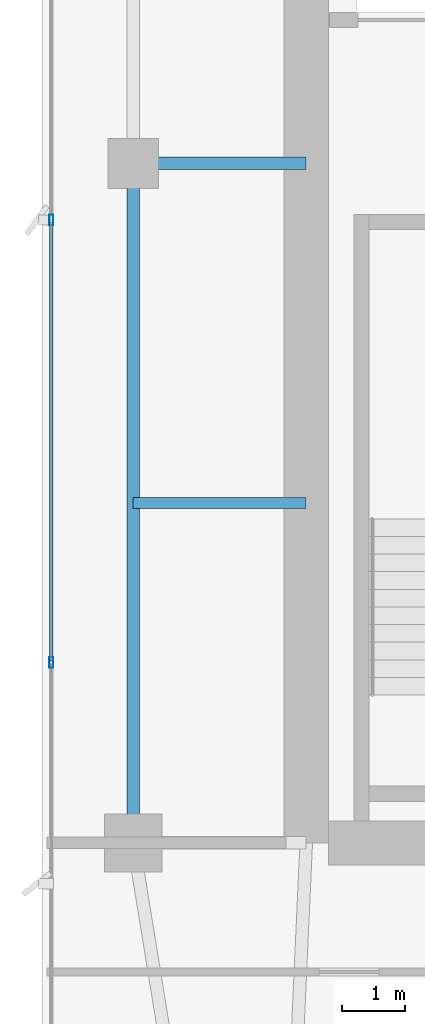
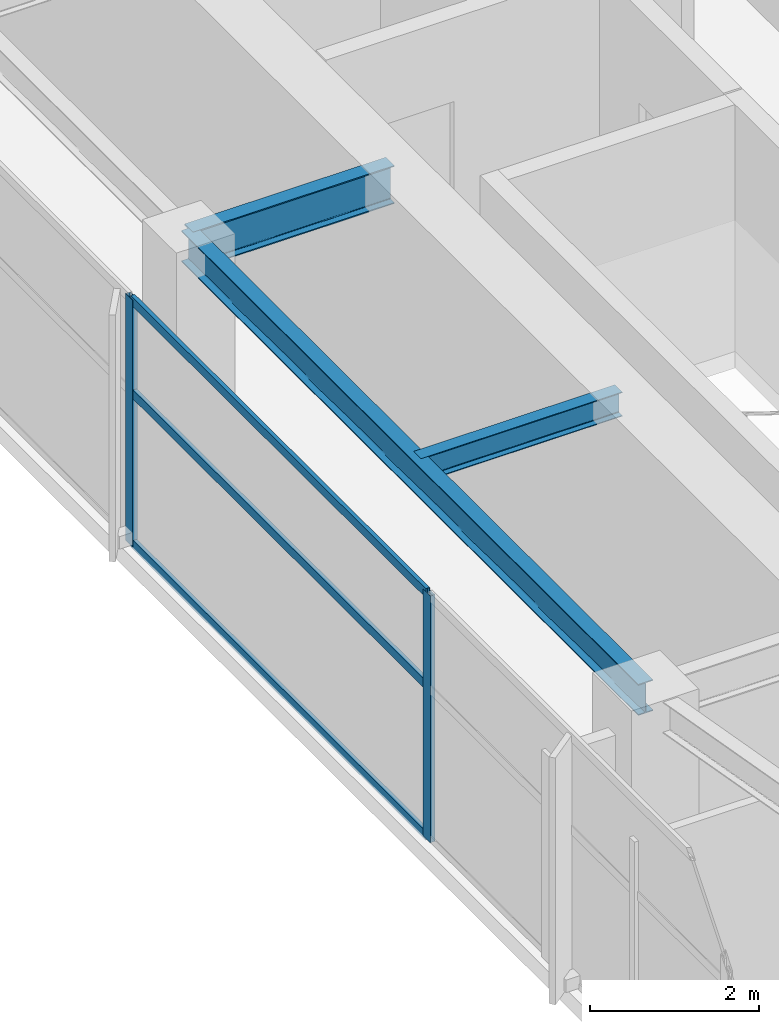
# One storey, part 9 of 29: 5 members, 3 beams, 1 element without a shape of its own.
"""IFC4 building model written with IfcOpenShell, lengths in metres."""

from ifc_helpers import new_model, si_unit, direction, frame, origin, origin_2d, place, context, subcontext, project, spatial, hollow_rectangle, i_section, extrude, material, layer, layer_set, material_profile, profile_set, type_object, element, aggregate, save


model = new_model("IFC4")

# Units and contexts
model_context = context("Model", 3, precision=1e-05, world=origin(), true_north=direction((0.0, 1.0)))
body_context = subcontext(model_context, "Body", "Model", "MODEL_VIEW")
ifc_project = project(units=[si_unit("LENGTHUNIT", "METRE"), si_unit("AREAUNIT", "SQUARE_METRE"), si_unit("VOLUMEUNIT", "CUBIC_METRE"), si_unit("PLANEANGLEUNIT", "RADIAN"), si_unit("MASSUNIT", "GRAM", prefix="KILO")], contexts=[model_context])

# Site, building, storey
site_placement = place(None, origin())
site = spatial("IfcSite", under=ifc_project, at=site_placement, CompositionType="ELEMENT")
building_placement = place(site_placement, origin())
building = spatial("IfcBuilding", under=site, at=building_placement, Name="Calvorn Quay Hotel", CompositionType="ELEMENT")
storey_placement = place(building_placement, frame((0.0, 0.0, 247.60009765625)))
storey = spatial("IfcBuildingStorey", under=building, at=storey_placement, Name="L61", CompositionType="ELEMENT", Elevation=247.60009765625)

# Beams
ifc_material_1 = material(Name="Steel Q355B", Category="steel")
ifc_material_profile_1 = material_profile(ifc_material_1, i_section(OverallWidth=0.199951171875, OverallDepth=0.550048828125, WebThickness=0.010009765625, FlangeThickness=0.01611328125, FilletRadius=0.01806640625, at=origin_2d()), Name="HN550x200x10x16")
ifc_profile_set_1 = profile_set([ifc_material_profile_1], Name="Steel Q355B")
beam_type_1 = type_object("IfcBeamType", Name="BM-GIRD-UPP", PredefinedType="BEAM", material=ifc_profile_set_1)
beam_1_placement = place(storey_placement, frame((1.449951171875, 27.60009765625, 3.264892578125), z_axis=(1.0, 0.0, 0.0), x_axis=(0.0, 1.0, 0.0)))
element("IfcBeam", 1, at=beam_1_placement, inside=storey, type_object=beam_type_1, Name="Beam BG-L61-W2", PredefinedType="BEAM", context=body_context, shape_type="SweptSolid", body=[
    extrude(i_section(OverallWidth=0.199951171875, OverallDepth=0.550048828125, WebThickness=0.010009765625, FlangeThickness=0.01611328125, FilletRadius=0.01806640625, at=origin_2d()), origin(), (0.0, 0.0, 1.0), 2.75),
])
ifc_material_2 = material(Name="Steel Q355B", Category="steel")
ifc_material_profile_2 = material_profile(ifc_material_2, i_section(OverallWidth=0.175048828125, OverallDepth=0.35009765625, WebThickness=0.007080078125, FlangeThickness=0.010986328125, FilletRadius=0.013916015625, at=origin_2d()), Name="HN350x175x7x11")
ifc_profile_set_2 = profile_set([ifc_material_profile_2], Name="Steel Q355B")
beam_type_2 = type_object("IfcBeamType", Name="BM-JOIST-SEC", PredefinedType="JOIST", material=ifc_profile_set_2)
beam_2_placement = place(storey_placement, frame((1.449951171875, 22.199951171875, 3.364990234375), z_axis=(1.0, 0.0, 0.0), x_axis=(0.0, 1.0, 0.0)))
element("IfcBeam", 2, at=beam_2_placement, inside=storey, type_object=beam_type_2, Name="Beam BJ-L61-W3", PredefinedType="JOIST", context=body_context, shape_type="SweptSolid", body=[
    extrude(i_section(OverallWidth=0.175048828125, OverallDepth=0.35009765625, WebThickness=0.007080078125, FlangeThickness=0.010986328125, FilletRadius=0.013916015625, at=origin_2d()), origin(), (0.0, 0.0, 1.0), 2.75),
])
ifc_material_3 = material(Name="Steel Q355B", Category="steel")
ifc_material_profile_3 = material_profile(ifc_material_3, i_section(OverallWidth=0.199951171875, OverallDepth=0.449951171875, WebThickness=0.009033203125, FlangeThickness=0.013916015625, FilletRadius=0.01611328125, at=origin_2d()), Name="HN450x200x9x14")
ifc_profile_set_3 = profile_set([ifc_material_profile_3], Name="Steel Q355B")
beam_type_3 = type_object("IfcBeamType", Name="BM-SPANDREL-Z3", PredefinedType="SPANDREL", material=ifc_profile_set_3)
beam_3_placement = place(storey_placement, frame((1.449951171875, 16.800048828125, 3.31494140625), z_axis=(0.0, 1.0, 0.0), x_axis=(-1.0, 0.0, 0.0)))
element("IfcBeam", 3, at=beam_3_placement, inside=storey, type_object=beam_type_3, Name="Beam BSP-L61-W2", PredefinedType="SPANDREL", context=body_context, shape_type="SweptSolid", body=[
    extrude(i_section(OverallWidth=0.199951171875, OverallDepth=0.449951171875, WebThickness=0.009033203125, FlangeThickness=0.013916015625, FilletRadius=0.01611328125, at=origin_2d()), origin(), (0.0, 0.0, 1.0), 10.800048828125),
])

# Curtain wall, members
ifc_material_4 = material(Name="Champagne Bronze Anodised Aluminium and Low-E Glass", Category="aluminium")
ifc_layer = layer(ifc_material_4, 0.219970703125)
ifc_layer_set = layer_set([ifc_layer], Name="CW-SYS-Z4")
curtain_wall_type = type_object("IfcCurtainWallType", Name="CW-SYS-Z4", PredefinedType="NOTDEFINED", material=ifc_layer_set)
curtain_wall_placement = place(storey_placement, origin())
curtain_wall = element("IfcCurtainWall", 4, at=curtain_wall_placement, inside=storey, type_object=curtain_wall_type, Name="Tower West Curtain Wall (L61)", PredefinedType="NOTDEFINED")
ifc_material_5 = material(Name="Champagne Bronze Anodised Aluminium 6063-T6", Category="aluminium")
ifc_material_profile_4 = material_profile(ifc_material_5, hollow_rectangle(XDim=0.06494140625, YDim=0.169921875, WallThickness=0.00341796875, at=origin_2d()), Name="ALU-M170x65x3.5")
ifc_profile_set_4 = profile_set([ifc_material_profile_4], Name="Champagne Bronze Anodised Aluminium 6063-T6")
member_type_1 = type_object("IfcMemberType", Name="CW-SYS-Z4-MUL", PredefinedType="MULLION", material=ifc_profile_set_4)
member_1_placement = place(storey_placement, frame((0.14990234375, 19.666748046875, 0.0), z_axis=(0.0, 0.0, 1.0), x_axis=(-1.0, 0.0, 0.0)))
member_1 = element("IfcMember", 5, at=member_1_placement, type_object=member_type_1, Name="CW-L61-W mullion 3", PredefinedType="MULLION", context=body_context, shape_type="SweptSolid", body=[
    extrude(hollow_rectangle(XDim=0.06494140625, YDim=0.169921875, WallThickness=0.00341796875, at=origin_2d()), origin(), (0.0, 0.0, 1.0), 3.559814453125),
])
member_2_placement = place(storey_placement, frame((0.14990234375, 26.699951171875, 0.0), z_axis=(0.0, 0.0, 1.0), x_axis=(-1.0, 0.0, 0.0)))
member_2 = element("IfcMember", 6, at=member_2_placement, type_object=member_type_1, Name="CW-L61-W mullion 4", PredefinedType="MULLION", context=body_context, shape_type="SweptSolid", body=[
    extrude(hollow_rectangle(XDim=0.06494140625, YDim=0.169921875, WallThickness=0.00341796875, at=origin_2d()), origin(), (0.0, 0.0, 1.0), 3.559814453125),
])
ifc_material_6 = material(Name="Champagne Bronze Anodised Aluminium 6063-T6", Category="aluminium")
ifc_material_profile_5 = material_profile(ifc_material_6, hollow_rectangle(XDim=0.054931640625, YDim=0.1298828125, WallThickness=0.003173828125, at=origin_2d()), Name="ALU-T130x55x3.2")
ifc_profile_set_5 = profile_set([ifc_material_profile_5], Name="Champagne Bronze Anodised Aluminium 6063-T6")
member_type_2 = type_object("IfcMemberType", Name="CW-SYS-Z4-TRN", PredefinedType="USERDEFINED", material=ifc_profile_set_5)
member_3_placement = place(storey_placement, frame((0.14990234375, 19.69677734375, 0.02978515625), z_axis=(0.0, 1.0, 0.0), x_axis=(-1.0, 0.0, 0.0)))
member_3 = element("IfcMember", 7, at=member_3_placement, type_object=member_type_2, Name="CW-L61-W transom 3.1", ObjectType="TRANSOM", PredefinedType="USERDEFINED", context=body_context, shape_type="SweptSolid", body=[
    extrude(hollow_rectangle(XDim=0.054931640625, YDim=0.1298828125, WallThickness=0.003173828125, at=origin_2d()), origin(), (0.0, 0.0, 1.0), 6.97314453125),
])
member_4_placement = place(storey_placement, frame((0.14990234375, 19.69677734375, 2.199951171875), z_axis=(0.0, 1.0, 0.0), x_axis=(-1.0, 0.0, 0.0)))
member_4 = element("IfcMember", 8, at=member_4_placement, type_object=member_type_2, Name="CW-L61-W transom 3.2", ObjectType="TRANSOM", PredefinedType="USERDEFINED", context=body_context, shape_type="SweptSolid", body=[
    extrude(hollow_rectangle(XDim=0.054931640625, YDim=0.1298828125, WallThickness=0.003173828125, at=origin_2d()), origin(), (0.0, 0.0, 1.0), 6.97314453125),
])
member_5_placement = place(storey_placement, frame((0.14990234375, 19.69677734375, 3.52978515625), z_axis=(0.0, 1.0, 0.0), x_axis=(-1.0, 0.0, 0.0)))
member_5 = element("IfcMember", 9, at=member_5_placement, type_object=member_type_2, Name="CW-L61-W transom 3.3", ObjectType="TRANSOM", PredefinedType="USERDEFINED", context=body_context, shape_type="SweptSolid", body=[
    extrude(hollow_rectangle(XDim=0.054931640625, YDim=0.1298828125, WallThickness=0.003173828125, at=origin_2d()), origin(), (0.0, 0.0, 1.0), 6.97314453125),
])
aggregate(curtain_wall, [member_1, member_2, member_3, member_4, member_5])

save(model, "model.ifc")
